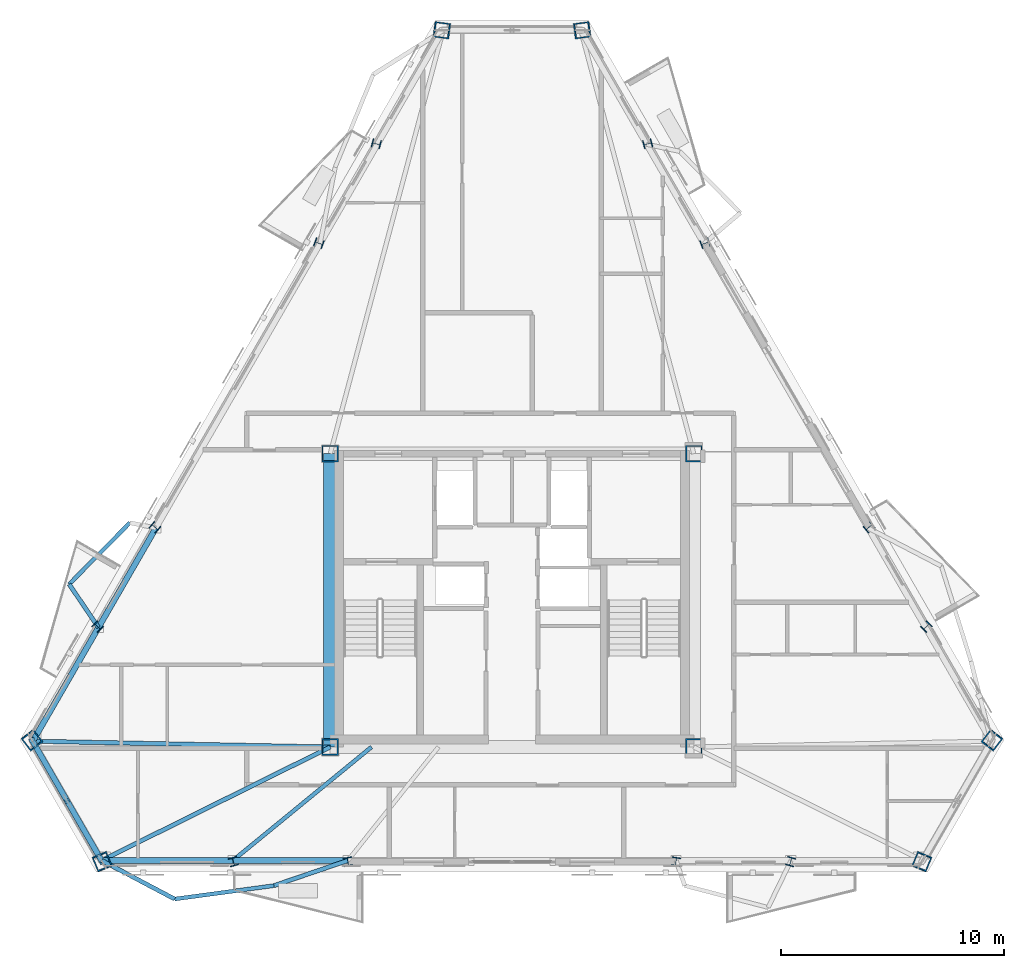
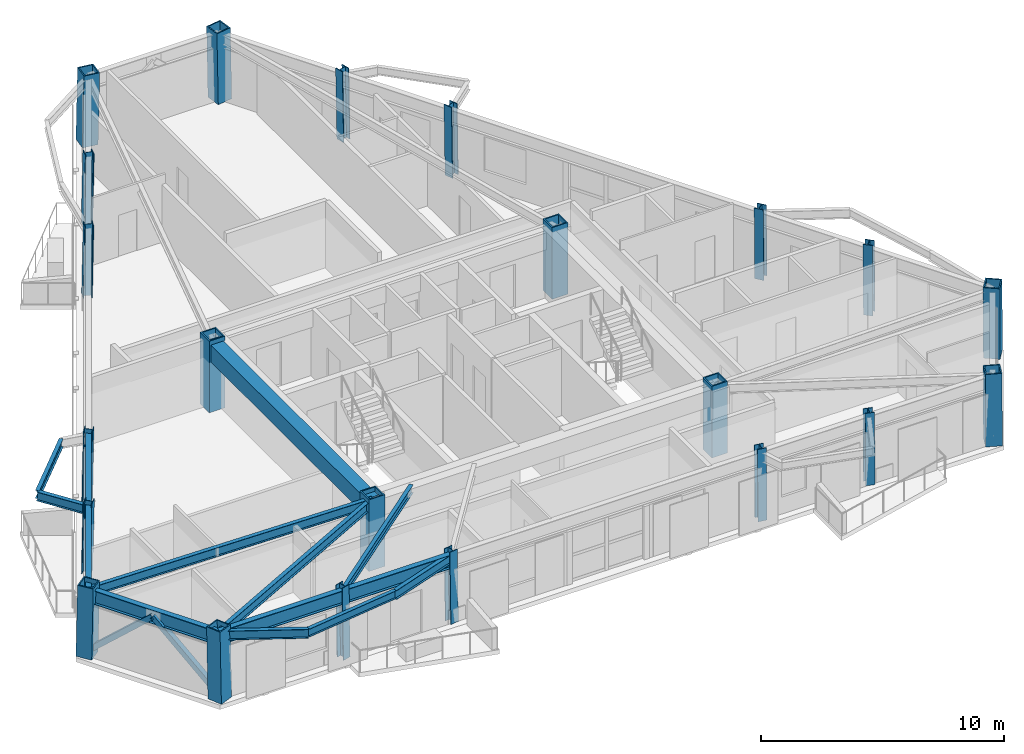
# One storey, part 1 of 12: 22 columns, 14 beams, 2 members.
"""IFC4 building model written with IfcOpenShell, lengths in metres."""

from ifc_helpers import new_model, si_unit, direction, frame, origin, origin_2d, place, context, subcontext, project, spatial, rectangle, hollow_rectangle, i_section, extrude, material, material_profile, profile_set, type_object, element, save


model = new_model("IFC4")

# Units and contexts
model_context = context("Model", 3, precision=1e-05, world=origin(), true_north=direction((0.0, 1.0)))
body_context = subcontext(model_context, "Body", "Model", "MODEL_VIEW")
ifc_project = project(units=[si_unit("LENGTHUNIT", "METRE"), si_unit("AREAUNIT", "SQUARE_METRE"), si_unit("VOLUMEUNIT", "CUBIC_METRE"), si_unit("PLANEANGLEUNIT", "RADIAN"), si_unit("MASSUNIT", "GRAM", prefix="KILO")], contexts=[model_context])

# Site, building, storey
site_placement = place(None, origin())
site = spatial("IfcSite", under=ifc_project, at=site_placement, CompositionType="ELEMENT")
building_placement = place(site_placement, origin())
building = spatial("IfcBuilding", under=site, at=building_placement, Name="Oramaril Tower", CompositionType="ELEMENT")
storey_placement = place(building_placement, frame((0.0, 0.0, 227.10009765625)))
storey = spatial("IfcBuildingStorey", under=building, at=storey_placement, Name="L60", CompositionType="ELEMENT", Elevation=227.10009765625)

# Columns
ifc_material_1 = material(Name="Steel ASTM A572 Gr 50", Category="steel")
ifc_material_profile_1 = material_profile(ifc_material_1, hollow_rectangle(XDim=0.75, YDim=0.75, WallThickness=0.06005859375, at=origin_2d()), Name="BOX750X750X60")
ifc_profile_set_1 = profile_set([ifc_material_profile_1], Name="Steel ASTM A572 Gr 50")
column_type_1 = type_object("IfcColumnType", Name="CT-CC4", PredefinedType="COLUMN", material=ifc_profile_set_1)
for number, where, z_axis, x_axis, name in (
    (1, (29.35009765625, 11.0, 0.0), (0.0, 0.0, 1.0), (1.0, 0.0, 0.0), "L60 Core Column CC-1"),
    (2, (45.64990234375, 11.0, 0.0), (0.0, 0.0, 1.0), (1.0, 0.0, 0.0), "L60 Core Column CC-2"),
    (3, (45.64990234375, 24.14990234375, 0.0), (0.0, 0.0, 1.0), (1.0, 0.0, 0.0), "L60 Core Column CC-3"),
    (4, (29.35009765625, 24.14990234375, 0.0), (0.0, 0.0, 1.0), (1.0, 0.0, 0.0), "L60 Core Column CC-4"),
):
    element("IfcColumn", number, at=place(storey_placement, frame(where, z_axis=z_axis, x_axis=x_axis)), inside=storey, type_object=column_type_1, Name=name, PredefinedType="COLUMN", context=body_context, shape_type="SweptSolid", body=[
        extrude(hollow_rectangle(XDim=0.75, YDim=0.75, WallThickness=0.06005859375, at=origin_2d()), origin(), (0.0, 0.0, 1.0), 3.599853515625),
    ])
ifc_material_2 = material(Name="Steel ASTM A572 Gr 50", Category="steel")
ifc_material_profile_2 = material_profile(ifc_material_2, hollow_rectangle(XDim=0.699951171875, YDim=0.699951171875, WallThickness=0.054931640625, at=origin_2d()), Name="BOX700X700X55")
ifc_profile_set_2 = profile_set([ifc_material_profile_2], Name="Steel ASTM A572 Gr 50")
column_type_2 = type_object("IfcColumnType", Name="CT-TC4", PredefinedType="COLUMN", material=ifc_profile_set_2)
for number, where, z_axis, x_axis, name in (
    (5, (15.97314453125, 11.315673828125, 0.00439453125), (0.011895219528, -0.015429799045, 0.999810194514), (0.791975050651, 0.610553453145, 0.0), "L60 Tube Column TC-01"),
    (6, (19.129150390625, 5.849365234375, 0.00439453125), (-0.007476992178, 0.018012753884, 0.999809799555), (-0.9235916635, -0.383377671642, 0.0), "L60 Tube Column TC-02"),
    (7, (55.870849609375, 5.849365234375, 0.00439453125), (0.007476992178, 0.018012753884, 0.999809799555), (-0.9235916635, 0.383377671642, 0.0), "L60 Tube Column TC-03"),
    (8, (59.02685546875, 11.315673828125, 0.00439453125), (-0.011895219528, -0.015429799045, 0.999810194514), (0.791975050651, -0.610553453145, 0.0), "L60 Tube Column TC-04"),
    (9, (40.656005859375, 43.135009765625, 0.00439453125), (-0.019372191613, -0.002582958882, 0.999809005018), (0.132163720091, -0.991227900683, 0.0), "L60 Tube Column TC-05"),
    (10, (34.343994140625, 43.135009765625, 0.00439453125), (0.019372191613, -0.002582958882, 0.999809005018), (0.132163720091, 0.991227900683, 0.0), "L60 Tube Column TC-06"),
):
    element("IfcColumn", number, at=place(storey_placement, frame(where, z_axis=z_axis, x_axis=x_axis)), inside=storey, type_object=column_type_2, Name=name, PredefinedType="COLUMN", context=body_context, shape_type="SweptSolid", body=[
        extrude(hollow_rectangle(XDim=0.699951171875, YDim=0.699951171875, WallThickness=0.054931640625, at=origin_2d()), origin(), (0.0, 0.0, 1.0), 3.591796875),
    ])
ifc_material_3 = material(Name="Steel ASTM A572 Gr 50", Category="steel")
ifc_material_profile_3 = material_profile(ifc_material_3, i_section(OverallWidth=0.39892578125, OverallDepth=0.385986328125, WebThickness=0.02099609375, FlangeThickness=0.033203125, at=origin_2d()), Name="W14X176")
ifc_profile_set_3 = profile_set([ifc_material_profile_3], Name="Steel ASTM A572 Gr 50")
column_type_3 = type_object("IfcColumnType", Name="CT-TF4", PredefinedType="COLUMN", material=ifc_profile_set_3)
column_1_placement = place(storey_placement, frame((25.0078125, 5.849365234375, 0.00439453125), z_axis=(-0.00509802547, 0.018013023328, 0.999824755208), x_axis=(-0.962206045824, -0.272322465799, 0.0)))
element("IfcColumn", 11, at=column_1_placement, inside=storey, type_object=column_type_3, Name="L60 Tube Column TC-07", PredefinedType="COLUMN", context=body_context, shape_type="SweptSolid", body=[
    extrude(i_section(OverallWidth=0.39892578125, OverallDepth=0.385986328125, WebThickness=0.02099609375, FlangeThickness=0.033203125, at=origin_2d()), origin(), (0.0, 0.0, 1.0), 3.591796875),
])
for number, where, z_axis, x_axis, name in (
    (12, (30.151611328125, 5.849365234375, 0.00439453125), (-0.002922893434, 0.018013180464, 0.999833477147), (-0.987089565971, -0.160169250327, 0.0), "L60 Tube Column TC-08"),
    (13, (44.848388671875, 5.849365234375, 0.00439453125), (0.002922893434, 0.018013180464, 0.999833477147), (-0.987089565971, 0.160169250327, 0.0), "L60 Tube Column TC-09"),
):
    element("IfcColumn", number, at=place(storey_placement, frame(where, z_axis=z_axis, x_axis=x_axis)), inside=storey, type_object=column_type_3, Name=name, PredefinedType="COLUMN", context=body_context, shape_type="SweptSolid", body=[
        extrude(i_section(OverallWidth=0.39892578125, OverallDepth=0.385986328125, WebThickness=0.02099609375, FlangeThickness=0.033203125, at=origin_2d()), origin(), (0.0, 0.0, 1.0), 3.591552734375),
    ])
for number, where, z_axis, x_axis, name in (
    (14, (49.9921875, 5.849365234375, 0.00439453125), (0.00509802547, 0.018013023328, 0.999824755208), (-0.962206045824, 0.272322465799, 0.0), "L60 Tube Column TC-10"),
    (15, (56.087646484375, 16.40673828125, 0.00439453125), (-0.013118912573, -0.013390807134, 0.999824274769), (0.714321588262, -0.699817596622, 0.0), "L60 Tube Column TC-11"),
):
    element("IfcColumn", number, at=place(storey_placement, frame(where, z_axis=z_axis, x_axis=x_axis)), inside=storey, type_object=column_type_3, Name=name, PredefinedType="COLUMN", context=body_context, shape_type="SweptSolid", body=[
        extrude(i_section(OverallWidth=0.39892578125, OverallDepth=0.385986328125, WebThickness=0.02099609375, FlangeThickness=0.033203125, at=origin_2d()), origin(), (0.0, 0.0, 1.0), 3.591796875),
    ])
for number, where, z_axis, x_axis, name in (
    (16, (53.515625, 20.861328125, 0.00439453125), (-0.014138644368, -0.011555622801, 0.999833269259), (0.632832277922, -0.774288904751, 0.0), "L60 Tube Column TC-12"),
    (17, (46.167236328125, 33.589111328125, 0.00439453125), (-0.017129504481, -0.006389577068, 0.999832862723), (0.349493096334, -0.936938939107, 0.0), "L60 Tube Column TC-13"),
):
    element("IfcColumn", number, at=place(storey_placement, frame(where, z_axis=z_axis, x_axis=x_axis)), inside=storey, type_object=column_type_3, Name=name, PredefinedType="COLUMN", context=body_context, shape_type="SweptSolid", body=[
        extrude(i_section(OverallWidth=0.39892578125, OverallDepth=0.385986328125, WebThickness=0.02099609375, FlangeThickness=0.033203125, at=origin_2d()), origin(), (0.0, 0.0, 1.0), 3.591552734375),
    ])
for number, where, z_axis, x_axis, name in (
    (18, (43.59521484375, 38.0439453125, 0.00439453125), (-0.018148962288, -0.004690181265, 0.999824293247), (0.250207014881, -0.968192361932, 0.0), "L60 Tube Column TC-14"),
    (19, (31.40478515625, 38.0439453125, 0.00439453125), (0.018148962288, -0.004690181265, 0.999824293247), (0.250207014881, 0.968192361932, 0.0), "L60 Tube Column TC-15"),
):
    element("IfcColumn", number, at=place(storey_placement, frame(where, z_axis=z_axis, x_axis=x_axis)), inside=storey, type_object=column_type_3, Name=name, PredefinedType="COLUMN", context=body_context, shape_type="SweptSolid", body=[
        extrude(i_section(OverallWidth=0.39892578125, OverallDepth=0.385986328125, WebThickness=0.02099609375, FlangeThickness=0.033203125, at=origin_2d()), origin(), (0.0, 0.0, 1.0), 3.591796875),
    ])
for number, where, z_axis, x_axis, name in (
    (20, (28.832763671875, 33.589111328125, 0.00439453125), (0.017129504481, -0.006389577068, 0.999832862723), (0.349493096334, 0.936938939107, 0.0), "L60 Tube Column TC-16"),
    (21, (21.484375, 20.861572265625, 0.00439453125), (0.014138633229, -0.011623587895, 0.999832481596), (0.635056158455, 0.772465970518, 0.0), "L60 Tube Column TC-17"),
):
    element("IfcColumn", number, at=place(storey_placement, frame(where, z_axis=z_axis, x_axis=x_axis)), inside=storey, type_object=column_type_3, Name=name, PredefinedType="COLUMN", context=body_context, shape_type="SweptSolid", body=[
        extrude(i_section(OverallWidth=0.39892578125, OverallDepth=0.385986328125, WebThickness=0.02099609375, FlangeThickness=0.033203125, at=origin_2d()), origin(), (0.0, 0.0, 1.0), 3.591552734375),
    ])
column_2_placement = place(storey_placement, frame((18.912353515625, 16.40673828125, 0.00439453125), z_axis=(0.013118912573, -0.013390807134, 0.999824274769), x_axis=(0.714321588262, 0.699817596622, 0.0)))
element("IfcColumn", 22, at=column_2_placement, inside=storey, type_object=column_type_3, Name="L60 Tube Column TC-18", PredefinedType="COLUMN", context=body_context, shape_type="SweptSolid", body=[
    extrude(i_section(OverallWidth=0.39892578125, OverallDepth=0.385986328125, WebThickness=0.02099609375, FlangeThickness=0.033203125, at=origin_2d()), origin(), (0.0, 0.0, 1.0), 3.591796875),
])

# Beams
ifc_material_4 = material(Name="Steel ASTM A572 Gr 50", Category="steel")
ifc_material_profile_4 = material_profile(ifc_material_4, i_section(OverallWidth=0.19091796875, OverallDepth=0.45703125, WebThickness=0.009033203125, FlangeThickness=0.014404296875, at=origin_2d()), Name="W18X50")
ifc_profile_set_4 = profile_set([ifc_material_profile_4], Name="Steel ASTM A572 Gr 50")
beam_type_1 = type_object("IfcBeamType", Name="BT-BB1", PredefinedType="BEAM", material=ifc_profile_set_4)
beam_1_placement = place(storey_placement, frame((29.35009765625, 11.0, 3.1513671875), z_axis=(-0.999809583459, 0.019514016075, 0.0), x_axis=(-0.019514016075, -0.999809583459, 0.0)))
element("IfcBeam", 23, at=beam_1_placement, inside=storey, type_object=beam_type_1, Name="L60 Radial Primary Beam RB-01", PredefinedType="BEAM", context=body_context, shape_type="SweptSolid", body=[
    extrude(i_section(OverallWidth=0.19091796875, OverallDepth=0.45703125, WebThickness=0.009033203125, FlangeThickness=0.014404296875, at=origin_2d()), origin(), (0.0, 0.0, 1.0), 13.336669921875),
])
beam_2_placement = place(storey_placement, frame((29.35009765625, 11.0, 3.1513671875), z_axis=(-0.895750605416, -0.444556917499, 0.0), x_axis=(0.444556917499, -0.895750605416, 0.0)))
element("IfcBeam", 24, at=beam_2_placement, inside=storey, type_object=beam_type_1, Name="L60 Radial Primary Beam RB-02", PredefinedType="BEAM", context=body_context, shape_type="SweptSolid", body=[
    extrude(i_section(OverallWidth=0.19091796875, OverallDepth=0.45703125, WebThickness=0.009033203125, FlangeThickness=0.014404296875, at=origin_2d()), origin(), (0.0, 0.0, 1.0), 11.4404296875),
])
beam_3_placement = place(storey_placement, frame((19.102294921875, 5.9140625, 3.1513671875), z_axis=(0.884062224735, -0.467369214644, 0.0), x_axis=(0.467369214644, 0.884062224735, 0.0)))
element("IfcBeam", 25, at=beam_3_placement, inside=storey, type_object=beam_type_1, Name="L60 Balcony Column-Framed Cantilever 01.1", PredefinedType="BEAM", context=body_context, shape_type="SweptSolid", body=[
    extrude(i_section(OverallWidth=0.19091796875, OverallDepth=0.45703125, WebThickness=0.009033203125, FlangeThickness=0.014404296875, at=origin_2d()), origin(), (0.0, 0.0, 1.0), 3.699951171875),
])
beam_4_placement = place(storey_placement, frame((30.14111328125, 5.9140625, 3.1513671875), z_axis=(-0.946473810497, -0.322780615966, 0.0), x_axis=(0.322780615966, -0.946473810497, 0.0)))
element("IfcBeam", 26, at=beam_4_placement, inside=storey, type_object=beam_type_1, Name="L60 Balcony Column-Framed Cantilever 01.2", PredefinedType="BEAM", context=body_context, shape_type="SweptSolid", body=[
    extrude(i_section(OverallWidth=0.19091796875, OverallDepth=0.45703125, WebThickness=0.009033203125, FlangeThickness=0.014404296875, at=origin_2d()), origin(), (0.0, 0.0, 1.0), 3.494384765625),
])
beam_5_placement = place(storey_placement, frame((18.95947265625, 16.358642578125, 3.1513671875), z_axis=(-0.560120213712, 0.828411338763, 0.0), x_axis=(-0.828411338763, -0.560120213712, 0.0)))
element("IfcBeam", 27, at=beam_5_placement, inside=storey, type_object=beam_type_1, Name="L60 Balcony Column-Framed Cantilever 06.2", PredefinedType="BEAM", context=body_context, shape_type="SweptSolid", body=[
    extrude(i_section(OverallWidth=0.19091796875, OverallDepth=0.45703125, WebThickness=0.009033203125, FlangeThickness=0.014404296875, at=origin_2d()), origin(), (0.0, 0.0, 1.0), 2.34423828125),
])
ifc_material_5 = material(Name="Concrete C50/60", Category="concrete")
ifc_material_profile_5 = material_profile(ifc_material_5, rectangle(XDim=0.60009765625, YDim=0.85009765625, at=origin_2d()), Name="CB600X850")
ifc_profile_set_5 = profile_set([ifc_material_profile_5], Name="Concrete C50/60")
beam_type_2 = type_object("IfcBeamType", Name="BT-CB2", PredefinedType="BEAM", material=ifc_profile_set_5)
beam_6_placement = place(storey_placement, frame((29.35009765625, 24.14990234375, 2.954833984375), z_axis=(0.0, -1.0, 0.0), x_axis=(1.0, 0.0, 0.0)))
element("IfcBeam", 28, at=beam_6_placement, inside=storey, type_object=beam_type_2, Name="L60 Core Header Beam CB-4", PredefinedType="BEAM", context=body_context, shape_type="SweptSolid", body=[
    extrude(rectangle(XDim=0.60009765625, YDim=0.85009765625, at=origin_2d()), origin(), (0.0, 0.0, 1.0), 13.14990234375),
])
ifc_material_6 = material(Name="Steel ASTM A572 Gr 50", Category="steel")
ifc_material_profile_6 = material_profile(ifc_material_6, i_section(OverallWidth=0.177978515625, OverallDepth=0.404052734375, WebThickness=0.007568359375, FlangeThickness=0.010986328125, at=origin_2d()), Name="W16X36")
ifc_profile_set_6 = profile_set([ifc_material_profile_6], Name="Steel ASTM A572 Gr 50")
beam_type_3 = type_object("IfcBeamType", Name="BT-SB1", PredefinedType="BEAM", material=ifc_profile_set_6)
beam_7_placement = place(storey_placement, frame((31.199951171875, 11.0, 3.177978515625), z_axis=(-0.773672653935, -0.633585530575, 0.0), x_axis=(0.633585530575, -0.773672653935, 0.0)))
element("IfcBeam", 29, at=beam_7_placement, inside=storey, type_object=beam_type_3, Name="L60 Secondary Floor Beam SB-01", PredefinedType="BEAM", context=body_context, shape_type="SweptSolid", body=[
    extrude(i_section(OverallWidth=0.177978515625, OverallDepth=0.404052734375, WebThickness=0.007568359375, FlangeThickness=0.010986328125, at=origin_2d()), origin(), (0.0, 0.0, 1.0), 8.02734375),
])
beam_8_placement = place(storey_placement, frame((22.373291015625, 4.184814453125, 3.177978515625), z_axis=(0.991034989293, 0.1336025823, 0.0), x_axis=(-0.1336025823, 0.991034989293, 0.0)))
element("IfcBeam", 30, at=beam_8_placement, inside=storey, type_object=beam_type_3, Name="L60 Balcony Edge Tie Beam 01", PredefinedType="BEAM", context=body_context, shape_type="SweptSolid", body=[
    extrude(i_section(OverallWidth=0.177978515625, OverallDepth=0.404052734375, WebThickness=0.007568359375, FlangeThickness=0.010986328125, at=origin_2d()), origin(), (0.0, 0.0, 1.0), 4.500732421875),
])
beam_9_placement = place(storey_placement, frame((20.3671875, 21.052978515625, 3.177978515625), z_axis=(-0.702994511648, -0.71119527318, 0.0), x_axis=(0.71119527318, -0.702994511648, 0.0)))
element("IfcBeam", 31, at=beam_9_placement, inside=storey, type_object=beam_type_3, Name="L60 Balcony Edge Tie Beam 06", PredefinedType="BEAM", context=body_context, shape_type="SweptSolid", body=[
    extrude(i_section(OverallWidth=0.177978515625, OverallDepth=0.404052734375, WebThickness=0.007568359375, FlangeThickness=0.010986328125, at=origin_2d()), origin(), (0.0, 0.0, 1.0), 3.8701171875),
])
ifc_material_7 = material(Name="Steel ASTM A572 Gr 50", Category="steel")
ifc_material_profile_7 = material_profile(ifc_material_7, i_section(OverallWidth=0.257080078125, OverallDepth=0.693115234375, WebThickness=0.014404296875, FlangeThickness=0.023681640625, at=origin_2d()), Name="W27X114")
ifc_profile_set_7 = profile_set([ifc_material_profile_7], Name="Steel ASTM A572 Gr 50")
beam_type_4 = type_object("IfcBeamType", Name="BT-SP4", PredefinedType="SPANDREL", material=ifc_profile_set_7)
beam_10_placement = place(storey_placement, frame((16.015869140625, 11.26025390625, 3.033447265625), z_axis=(0.49997579017, -0.866039380885, 0.0), x_axis=(0.866039380885, 0.49997579017, 0.0)))
element("IfcBeam", 32, at=beam_10_placement, inside=storey, type_object=beam_type_4, Name="L60 Perimeter Spandrel 01", PredefinedType="SPANDREL", context=body_context, shape_type="SweptSolid", body=[
    extrude(i_section(OverallWidth=0.257080078125, OverallDepth=0.693115234375, WebThickness=0.014404296875, FlangeThickness=0.023681640625, at=origin_2d()), origin(), (0.0, 0.0, 1.0), 6.173095703125),
])
beam_11_placement = place(storey_placement, frame((19.102294921875, 5.9140625, 3.033447265625), z_axis=(1.0, 0.0, 0.0), x_axis=(0.0, 1.0, 0.0)))
element("IfcBeam", 33, at=beam_11_placement, inside=storey, type_object=beam_type_4, Name="L60 Perimeter Spandrel 02", PredefinedType="SPANDREL", context=body_context, shape_type="SweptSolid", body=[
    extrude(i_section(OverallWidth=0.257080078125, OverallDepth=0.693115234375, WebThickness=0.014404296875, FlangeThickness=0.023681640625, at=origin_2d()), origin(), (0.0, 0.0, 1.0), 5.88720703125),
])
beam_12_placement = place(storey_placement, frame((24.989501953125, 5.9140625, 3.033447265625), z_axis=(1.0, 0.0, 0.0), x_axis=(0.0, 1.0, 0.0)))
element("IfcBeam", 34, at=beam_12_placement, inside=storey, type_object=beam_type_4, Name="L60 Perimeter Spandrel 03", PredefinedType="SPANDREL", context=body_context, shape_type="SweptSolid", body=[
    extrude(i_section(OverallWidth=0.257080078125, OverallDepth=0.693115234375, WebThickness=0.014404296875, FlangeThickness=0.023681640625, at=origin_2d()), origin(), (0.0, 0.0, 1.0), 5.151611328125),
])
beam_13_placement = place(storey_placement, frame((21.53515625, 20.81982421875, 3.033447265625), z_axis=(-0.500002791403, -0.866023792161, 0.0), x_axis=(0.866023792161, -0.500002791403, 0.0)))
element("IfcBeam", 35, at=beam_13_placement, inside=storey, type_object=beam_type_4, Name="L60 Perimeter Spandrel 17", PredefinedType="SPANDREL", context=body_context, shape_type="SweptSolid", body=[
    extrude(i_section(OverallWidth=0.257080078125, OverallDepth=0.693115234375, WebThickness=0.014404296875, FlangeThickness=0.023681640625, at=origin_2d()), origin(), (0.0, 0.0, 1.0), 5.1513671875),
])
beam_14_placement = place(storey_placement, frame((18.95947265625, 16.358642578125, 3.033447265625), z_axis=(-0.500006044118, -0.866021914183, 0.0), x_axis=(0.866021914183, -0.500006044118, 0.0)))
element("IfcBeam", 36, at=beam_14_placement, inside=storey, type_object=beam_type_4, Name="L60 Perimeter Spandrel 18", PredefinedType="SPANDREL", context=body_context, shape_type="SweptSolid", body=[
    extrude(i_section(OverallWidth=0.257080078125, OverallDepth=0.693115234375, WebThickness=0.014404296875, FlangeThickness=0.023681640625, at=origin_2d()), origin(), (0.0, 0.0, 1.0), 5.88720703125),
])

# Members
ifc_material_8 = material(Name="Steel ASTM A572 Gr 50", Category="steel")
ifc_material_profile_8 = material_profile(ifc_material_8, hollow_rectangle(XDim=0.25, YDim=0.25, WallThickness=0.011962890625, at=origin_2d()), Name="HSS250X250X12")
ifc_profile_set_8 = profile_set([ifc_material_profile_8], Name="Steel ASTM A572 Gr 50")
member_type = type_object("IfcMemberType", Name="MT-KB3", PredefinedType="BRACE", material=ifc_profile_set_8)
member_1_placement = place(storey_placement, frame((15.97314453125, 11.315673828125, 0.179931640625), z_axis=(0.370856783528, -0.642386150642, 0.67067524151), x_axis=(0.866040017224, 0.499974687925, 0.0)))
element("IfcMember", 37, at=member_1_placement, inside=storey, type_object=member_type, Name="L60 Perimeter Chevron Brace KB-1A", PredefinedType="BRACE", context=body_context, shape_type="SweptSolid", body=[
    extrude(hollow_rectangle(XDim=0.25, YDim=0.25, WallThickness=0.011962890625, at=origin_2d()), origin(), (0.0, 0.0, 1.0), 4.254638671875),
])
member_2_placement = place(storey_placement, frame((19.129150390625, 5.849365234375, 0.179931640625), z_axis=(-0.370906271518, 0.642372479833, 0.670660968673), x_axis=(-0.866006520045, -0.50003270617, 0.0)))
element("IfcMember", 38, at=member_2_placement, inside=storey, type_object=member_type, Name="L60 Perimeter Chevron Brace KB-1B", PredefinedType="BRACE", context=body_context, shape_type="SweptSolid", body=[
    extrude(hollow_rectangle(XDim=0.25, YDim=0.25, WallThickness=0.011962890625, at=origin_2d()), origin(), (0.0, 0.0, 1.0), 4.2548828125),
])

save(model, "model.ifc")
